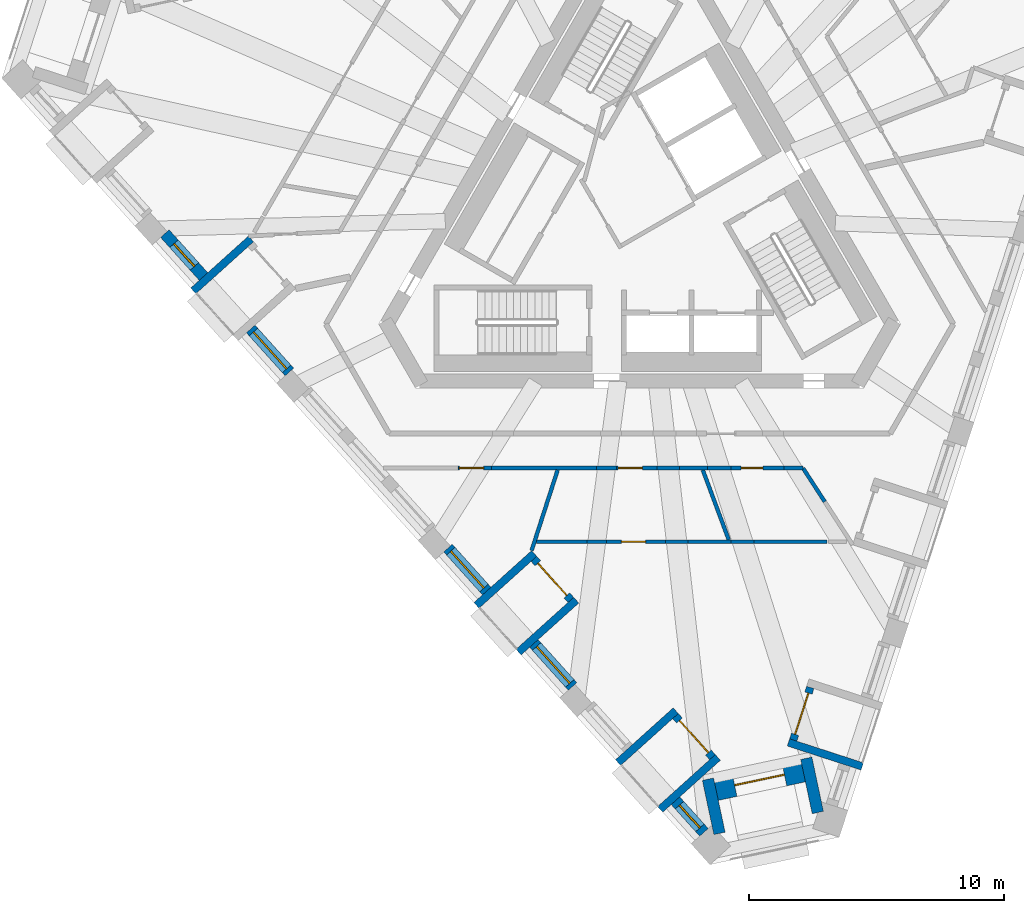
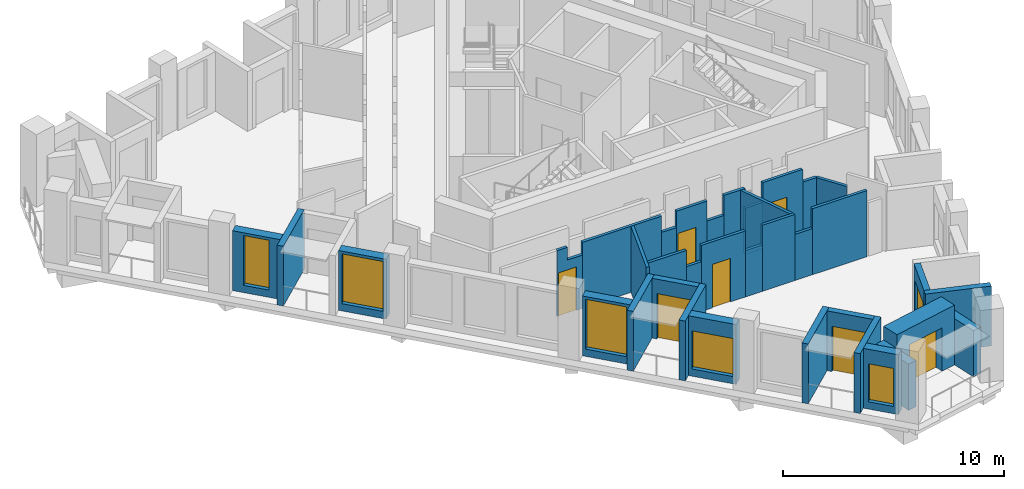
# One storey, part 2 of 12: 36 walls, 8 doors, 5 windows, 13 openings.
"""IFC4 building model written with IfcOpenShell, lengths in metres."""

import ifcopenshell
import ifcopenshell.guid

model = None  # the IFC model being written
_history = None  # IfcOwnerHistory: only IFC2X3 demands one
_inside = {}  # id of a spatial element -> (the spatial element, [elements in it])
_under = {}  # id of a project, library or spatial element -> (it, [spatial elements below it])
_declared = {}  # id of a project -> (the project, [libraries it declares])
_typed = {}  # id of a type object -> (the type object, [elements of that type])
_made_of = {}  # id of a material, layer set ... -> (it, [elements and type objects made of it])


def new_model(schema):
    """Start an empty IFC model of exactly this schema.

    Asked for "IFC4X3", IfcOpenShell would pick the latest addendum, in which some entities
    have other attributes; the version numbers below select the first issue.
    IFC2X3 requires an IfcOwnerHistory on every rooted entity: one is made here for all.
    """
    global model, _history
    if schema == "IFC4X3":
        model = ifcopenshell.file(schema_version=(4, 3, 0, 0))
    else:
        model = ifcopenshell.file(schema=schema)
    _inside.clear()
    _under.clear()
    _declared.clear()
    _typed.clear()
    _made_of.clear()
    _history = None
    if model.schema == "IFC2X3":
        org = make("IfcOrganization", Name="unknown")
        user = make(
            "IfcPersonAndOrganization",
            ThePerson=make("IfcPerson", FamilyName="unknown"),
            TheOrganization=org,
        )
        app = make(
            "IfcApplication",
            ApplicationDeveloper=org,
            Version="unknown",
            ApplicationFullName="unknown",
            ApplicationIdentifier="unknown",
        )
        _history = make(
            "IfcOwnerHistory",
            OwningUser=user,
            OwningApplication=app,
            ChangeAction="ADDED",
            CreationDate=0,
        )
    return model


def make(cls, **values):
    """One entity of the class cls with the attributes given. An attribute that is None is left unset."""
    return model.create_entity(
        cls, **{name: value for name, value in values.items() if value is not None}
    )


def rooted(cls, **values):
    """An entity with a GlobalId (a new one), such as an element, a storey or a relation."""
    return make(cls, GlobalId=ifcopenshell.guid.new(), OwnerHistory=_history, **values)


def si_unit(unit_type, name, prefix=None):
    """IfcSIUnit, for example si_unit("LENGTHUNIT", "METRE", prefix="MILLI")."""
    return make("IfcSIUnit", UnitType=unit_type, Prefix=prefix, Name=name)


def assignment(units):
    """IfcUnitAssignment: the units of a project."""
    return None if units is None else make("IfcUnitAssignment", Units=units)


def point(xyz):
    """IfcCartesianPoint."""
    return None if xyz is None else make("IfcCartesianPoint", Coordinates=xyz)


def direction(xyz):
    """IfcDirection."""
    return None if xyz is None else make("IfcDirection", DirectionRatios=xyz)


def frame(location, z_axis=None, x_axis=None):
    """IfcAxis2Placement3D, a coordinate frame: its origin and axes. An axis left out is left unset."""
    return make(
        "IfcAxis2Placement3D",
        Location=point(location),
        Axis=direction(z_axis),
        RefDirection=direction(x_axis),
    )


def frame_2d(location, x_axis=None):
    """IfcAxis2Placement2D, a coordinate frame in the plane: its origin and x axis."""
    return make(
        "IfcAxis2Placement2D", Location=point(location), RefDirection=direction(x_axis)
    )


def origin():
    """The frame at (0, 0, 0) with its axes left unset."""
    return frame((0.0, 0.0, 0.0))


def place(relative_to, where):
    """IfcLocalPlacement: puts the frame where relative to a parent placement (None: the world)."""
    return make(
        "IfcLocalPlacement", PlacementRelTo=relative_to, RelativePlacement=where
    )


def context(
    kind, dimensions, precision=None, world=None, true_north=None, identifier=None
):
    """IfcGeometricRepresentationContext, for example the 3D "Model" context."""
    return make(
        "IfcGeometricRepresentationContext",
        ContextIdentifier=identifier,
        ContextType=kind,
        CoordinateSpaceDimension=dimensions,
        Precision=precision,
        WorldCoordinateSystem=world,
        TrueNorth=true_north,
    )


def subcontext(parent, identifier, kind, view, scale=None):
    """IfcGeometricRepresentationSubContext, for example "Body" below "Model"."""
    return make(
        "IfcGeometricRepresentationSubContext",
        ContextIdentifier=identifier,
        ContextType=kind,
        ParentContext=parent,
        TargetScale=scale,
        TargetView=view,
    )


def project(units=None, contexts=None):
    """IfcProject with its units and contexts."""
    return rooted(
        "IfcProject",
        Name="project",
        RepresentationContexts=contexts,
        UnitsInContext=assignment(units),
    )


def spatial(cls, under=None, at=None, **own):
    """A site, building, storey or space (cls), placed at a placement, below another one or the project."""
    s = rooted(cls, ObjectPlacement=at, **own)
    if under is not None:
        _under.setdefault(under.id(), (under, []))[1].append(s)
    return s


def polyline(points):
    """IfcPolyline through the points."""
    return make("IfcPolyline", Points=[point(p) for p in points])


def profile(cls, at=None, kind="AREA", **sizes):
    """A parametric profile (cls). Its sizes go by their IFC names, for example OverallWidth=200.0."""
    return make(cls, ProfileType=kind, Position=at, **sizes)


def rectangle(**sizes):
    """IfcRectangleProfileDef."""
    return profile("IfcRectangleProfileDef", **sizes)


def outline(outer, holes=None, kind="AREA"):
    """IfcArbitraryClosedProfileDef: a profile drawn as a closed curve; with holes, ...WithVoids."""
    if holes is None:
        return make("IfcArbitraryClosedProfileDef", ProfileType=kind, OuterCurve=outer)
    return make(
        "IfcArbitraryProfileDefWithVoids",
        ProfileType=kind,
        OuterCurve=outer,
        InnerCurves=holes,
    )


def extrude(swept, where, along, depth):
    """IfcExtrudedAreaSolid: the profile swept, set in the frame where, extruded along a direction by depth."""
    return make(
        "IfcExtrudedAreaSolid",
        SweptArea=swept,
        Position=where,
        ExtrudedDirection=direction(along),
        Depth=depth,
    )


def shape(context_of_items, identifier, shape_type, items):
    """IfcShapeRepresentation: the items that make up one representation, for example the "Body"."""
    return make(
        "IfcShapeRepresentation",
        ContextOfItems=context_of_items,
        RepresentationIdentifier=identifier,
        RepresentationType=shape_type,
        Items=items,
    )


def material(Name=None, Category=None):
    """IfcMaterial."""
    return make("IfcMaterial", Name=Name, Category=Category)


def layer(
    of_material, thickness, ventilated=None, Name=None, Category=None, Priority=None
):
    """IfcMaterialLayer: one layer of a wall or slab, of a material (None: an air gap)."""
    return make(
        "IfcMaterialLayer",
        Material=of_material,
        LayerThickness=thickness,
        IsVentilated=ventilated,
        Name=Name,
        Category=Category,
        Priority=Priority,
    )


def layer_set(layers, Name=None):
    """IfcMaterialLayerSet."""
    return make("IfcMaterialLayerSet", MaterialLayers=layers, LayerSetName=Name)


def made_of(thing, what):
    """Note that an element or type object is made of a material, layer set ...; save() writes the relation."""
    if what is not None:
        _made_of.setdefault(what.id(), (what, []))[1].append(thing)
    return thing


def type_object(cls, material=None, **own):
    """A type object (cls), such as IfcWallType, which elements share."""
    return made_of(rooted(cls, **own), material)


def element(
    cls,
    number,
    at=None,
    inside=None,
    cuts=None,
    type_object=None,
    material=None,
    context=None,
    identifier="Body",
    shape_type=None,
    held_by="IfcProductDefinitionShape",
    body=None,
    shapes=None,
    **own,
):
    """One element of the class cls, such as IfcWall. Its Tag is "e" and its number.

    at: its placement. inside: the storey or other place that contains it. cuts: it is an
    opening in that element (IfcRelVoidsElement). A single representation is given by context,
    identifier, shape_type and body (its items); several are given by shapes. held_by: the class
    of the entity that holds the representations. save() writes the other relations.
    """
    e = rooted(cls, Tag="e%d" % number, ObjectPlacement=at, **own)
    if body is not None:
        shapes = [shape(context, identifier, shape_type, body)]
    if shapes is not None:
        e.Representation = make(held_by, Representations=shapes)
    if inside is not None:
        _inside.setdefault(inside.id(), (inside, []))[1].append(e)
    if cuts is not None:
        rooted(
            "IfcRelVoidsElement", RelatingBuildingElement=cuts, RelatedOpeningElement=e
        )
    if type_object is not None:
        _typed.setdefault(type_object.id(), (type_object, []))[1].append(e)
    return made_of(e, material)


def fill(opening, filler):
    """IfcRelFillsElement: the door or window that sits in an opening."""
    return rooted(
        "IfcRelFillsElement",
        RelatingOpeningElement=opening,
        RelatedBuildingElement=filler,
    )


def aggregate(whole, parts):
    """IfcRelAggregates: a whole, such as a stair, and the parts it consists of."""
    return rooted("IfcRelAggregates", RelatingObject=whole, RelatedObjects=parts)


def save(model, path):
    """Write the relations noted so far, then the file.

    IfcRelAggregates (storeys below a building ...), IfcRelContainedInSpatialStructure (elements
    in a storey), IfcRelDefinesByType, IfcRelAssociatesMaterial and IfcRelDeclares: one each for
    every whole, place, type object, material and project.
    """
    for whole, parts in _under.values():
        aggregate(whole, parts)
    for where, things in _inside.values():
        rooted(
            "IfcRelContainedInSpatialStructure",
            RelatedElements=things,
            RelatingStructure=where,
        )
    for kind, things in _typed.values():
        rooted("IfcRelDefinesByType", RelatedObjects=things, RelatingType=kind)
    for what, things in _made_of.values():
        rooted("IfcRelAssociatesMaterial", RelatedObjects=things, RelatingMaterial=what)
    for by, libraries in _declared.values():
        rooted("IfcRelDeclares", RelatingContext=by, RelatedDefinitions=libraries)
    model.write(path)


model = new_model("IFC4")

# Units and contexts
model_context = context("Model", 3, precision=1e-05, world=origin(), true_north=direction((0.0, 1.0)))
body_context = subcontext(model_context, "Body", "Model", "MODEL_VIEW")
ifc_project = project(units=[si_unit("LENGTHUNIT", "METRE"), si_unit("AREAUNIT", "SQUARE_METRE"), si_unit("VOLUMEUNIT", "CUBIC_METRE"), si_unit("PLANEANGLEUNIT", "RADIAN"), si_unit("MASSUNIT", "GRAM", prefix="KILO")], contexts=[model_context])

# Site, building, storey
site_placement = place(None, origin())
site = spatial("IfcSite", under=ifc_project, at=site_placement, CompositionType="ELEMENT")
building_placement = place(site_placement, origin())
building = spatial("IfcBuilding", under=site, at=building_placement, Name="Tramontana Tower", CompositionType="ELEMENT")
storey_placement = place(building_placement, frame((0.0, 0.0, 344.39990234375)))
storey = spatial("IfcBuildingStorey", under=building, at=storey_placement, Name="L79", CompositionType="ELEMENT", Elevation=344.39990234375)

# Wall, opening, window
ifc_material_1 = material(Name="Precast concrete 60 MPa", Category="concrete")
ifc_layer_1 = layer(ifc_material_1, 0.449951171875)
ifc_layer_set_1 = layer_set([ifc_layer_1], Name="Precast concrete 60 MPa, 450 mm")
wall_type_1 = type_object("IfcWallType", Name="EW1 Stone-faced precast wall 450", PredefinedType="SOLIDWALL", material=ifc_layer_set_1)
wall_1_placement = place(storey_placement, frame((-18.655517578125, -0.689208984375, 0.0), z_axis=(0.0, 0.0, 1.0), x_axis=(0.669107243666, -0.743165860676, 0.0)))
wall_1 = element("IfcWall", 1, at=wall_1_placement, inside=storey, type_object=wall_type_1, Name="External wall L79 face 0 bay 2", PredefinedType="SOLIDWALL", context=body_context, shape_type="SweptSolid", body=[
    extrude(rectangle(XDim=2.271240234375, YDim=0.449951171875, at=frame_2d((1.1357421875, 0.0))), origin(), (0.0, 0.0, 1.0), 3.300048828125),
])
opening_1_placement = place(wall_1_placement, frame((0.53564453125, 0.0, 0.39990234375)))
opening_1 = element("IfcOpeningElement", 2, at=opening_1_placement, cuts=wall_1, Name="Opening N3", PredefinedType="OPENING", context=body_context, shape_type="SweptSolid", body=[
    extrude(rectangle(XDim=1.199951171875, YDim=2.75, at=frame_2d((0.60009765625, 1.375))), frame((0.0, 0.23486328125, 0.0), z_axis=(0.0, -1.0, 0.0), x_axis=(1.0, 0.0, 0.0)), (0.0, 0.0, 1.0), 0.469970703125),
])
ifc_material_2 = material(Name="Aluminum frame, double glazing unit", Category="aluminium")
window_type_1 = type_object("IfcWindowType", Name="N3 Window 1.2 x 2.75", PartitioningType="SINGLE_PANEL", PredefinedType="WINDOW", material=ifc_material_2)
window_1_placement = place(opening_1_placement, origin())
window_1 = element("IfcWindow", 3, at=window_1_placement, inside=storey, type_object=window_type_1, Name="Window N3 L79 face 0 module 4", OverallHeight=2.75, OverallWidth=1.199951171875, PartitioningType="SINGLE_PANEL", PredefinedType="WINDOW", context=body_context, shape_type="SweptSolid", body=[
    extrude(rectangle(XDim=1.199951171875, YDim=2.75, at=frame_2d((0.60009765625, 1.375))), frame((0.0, 0.030029296875, 0.0), z_axis=(0.0, -1.0, 0.0), x_axis=(1.0, 0.0, 0.0)), (0.0, 0.0, 1.0), 0.06005859375),
])
fill(opening_1, window_1)

wall_2_placement = place(storey_placement, frame((-15.281494140625, -4.4365234375, 0.0), z_axis=(0.0, 0.0, 1.0), x_axis=(0.669107243666, -0.743165860676, 0.0)))
wall_2 = element("IfcWall", 4, at=wall_2_placement, inside=storey, type_object=wall_type_1, Name="External wall L79 face 0 bay 2", PredefinedType="SOLIDWALL", context=body_context, shape_type="SweptSolid", body=[
    extrude(rectangle(XDim=2.271240234375, YDim=0.449951171875, at=frame_2d((1.1357421875, 0.0))), origin(), (0.0, 0.0, 1.0), 3.300048828125),
])
opening_2_placement = place(wall_2_placement, frame((0.16064453125, 0.0, 0.39990234375)))
opening_2 = element("IfcOpeningElement", 5, at=opening_2_placement, cuts=wall_2, Name="Opening M3", PredefinedType="OPENING", context=body_context, shape_type="SweptSolid", body=[
    extrude(rectangle(XDim=1.949951171875, YDim=2.75, at=frame_2d((0.97509765625, 1.375))), frame((0.0, 0.23486328125, 0.0), z_axis=(0.0, -1.0, 0.0), x_axis=(1.0, 0.0, 0.0)), (0.0, 0.0, 1.0), 0.469970703125),
])
ifc_material_3 = material(Name="Aluminum frame, double glazing unit", Category="aluminium")
window_type_2 = type_object("IfcWindowType", Name="M3 Window 1.95 x 2.75", PartitioningType="SINGLE_PANEL", PredefinedType="WINDOW", material=ifc_material_3)
window_2_placement = place(opening_2_placement, origin())
window_2 = element("IfcWindow", 6, at=window_2_placement, inside=storey, type_object=window_type_2, Name="Window M3 L79 face 0 module 6", OverallHeight=2.75, OverallWidth=1.949951171875, PartitioningType="SINGLE_PANEL", PredefinedType="WINDOW", context=body_context, shape_type="SweptSolid", body=[
    extrude(rectangle(XDim=1.949951171875, YDim=2.75, at=frame_2d((0.97509765625, 1.375))), frame((0.0, 0.030029296875, 0.0), z_axis=(0.0, -1.0, 0.0), x_axis=(1.0, 0.0, 0.0)), (0.0, 0.0, 1.0), 0.06005859375),
])
fill(opening_2, window_2)

wall_3_placement = place(storey_placement, frame((-7.529541015625, -13.046142578125, 0.0), z_axis=(0.0, 0.0, 1.0), x_axis=(0.669160694992, -0.743117732447, 0.0)))
wall_3 = element("IfcWall", 7, at=wall_3_placement, inside=storey, type_object=wall_type_1, Name="External wall L79 face 0 bay 4", PredefinedType="SOLIDWALL", context=body_context, shape_type="SweptSolid", body=[
    extrude(rectangle(XDim=2.271240234375, YDim=0.449951171875, at=frame_2d((1.1357421875, 0.0))), origin(), (0.0, 0.0, 1.0), 3.300048828125),
])
opening_3_placement = place(wall_3_placement, frame((0.16064453125, 0.0, 0.39990234375)))
opening_3 = element("IfcOpeningElement", 8, at=opening_3_placement, cuts=wall_3, Name="Opening M3", PredefinedType="OPENING", context=body_context, shape_type="SweptSolid", body=[
    extrude(rectangle(XDim=1.949951171875, YDim=2.75, at=frame_2d((0.97509765625, 1.375))), frame((0.0, 0.23486328125, 0.0), z_axis=(0.0, -1.0, 0.0), x_axis=(1.0, 0.0, 0.0)), (0.0, 0.0, 1.0), 0.469970703125),
])
window_3_placement = place(opening_3_placement, origin())
window_3 = element("IfcWindow", 9, at=window_3_placement, inside=storey, type_object=window_type_2, Name="Window M3 L79 face 0 module 10", OverallHeight=2.75, OverallWidth=1.949951171875, PartitioningType="SINGLE_PANEL", PredefinedType="WINDOW", context=body_context, shape_type="SweptSolid", body=[
    extrude(rectangle(XDim=1.949951171875, YDim=2.75, at=frame_2d((0.97509765625, 1.375))), frame((0.0, 0.030029296875, 0.0), z_axis=(0.0, -1.0, 0.0), x_axis=(1.0, 0.0, 0.0)), (0.0, 0.0, 1.0), 0.06005859375),
])
fill(opening_3, window_3)

wall_4_placement = place(storey_placement, frame((-4.1552734375, -16.79345703125, 0.0), z_axis=(0.0, 0.0, 1.0), x_axis=(0.669160694992, -0.743117732447, 0.0)))
wall_4 = element("IfcWall", 10, at=wall_4_placement, inside=storey, type_object=wall_type_1, Name="External wall L79 face 0 bay 4", PredefinedType="SOLIDWALL", context=body_context, shape_type="SweptSolid", body=[
    extrude(rectangle(XDim=2.271240234375, YDim=0.449951171875, at=frame_2d((1.1357421875, 0.0))), origin(), (0.0, 0.0, 1.0), 3.300048828125),
])
opening_4_placement = place(wall_4_placement, frame((0.16064453125, 0.0, 0.39990234375)))
opening_4 = element("IfcOpeningElement", 11, at=opening_4_placement, cuts=wall_4, Name="Opening M3L", PredefinedType="OPENING", context=body_context, shape_type="SweptSolid", body=[
    extrude(rectangle(XDim=1.949951171875, YDim=2.10009765625, at=frame_2d((0.97509765625, 1.050048828125))), frame((0.0, 0.23486328125, 0.0), z_axis=(0.0, -1.0, 0.0), x_axis=(1.0, 0.0, 0.0)), (0.0, 0.0, 1.0), 0.469970703125),
])
ifc_material_4 = material(Name="Aluminum frame, double glazing unit", Category="aluminium")
window_type_3 = type_object("IfcWindowType", Name="M3L Window 1.95 x 2.1", PartitioningType="SINGLE_PANEL", PredefinedType="WINDOW", material=ifc_material_4)
window_4_placement = place(opening_4_placement, origin())
window_4 = element("IfcWindow", 12, at=window_4_placement, inside=storey, type_object=window_type_3, Name="Window M3L L79 face 0 module 12", OverallHeight=2.10009765625, OverallWidth=1.949951171875, PartitioningType="SINGLE_PANEL", PredefinedType="WINDOW", context=body_context, shape_type="SweptSolid", body=[
    extrude(rectangle(XDim=1.949951171875, YDim=2.10009765625, at=frame_2d((0.97509765625, 1.050048828125))), frame((0.0, 0.030029296875, 0.0), z_axis=(0.0, -1.0, 0.0), x_axis=(1.0, 0.0, 0.0)), (0.0, 0.0, 1.0), 0.06005859375),
])
fill(opening_4, window_4)

wall_5_placement = place(storey_placement, frame((1.40771484375, -22.971923828125, 0.0), z_axis=(0.0, 0.0, 1.0), x_axis=(0.669182609054, -0.743097998746, 0.0)))
wall_5 = element("IfcWall", 13, at=wall_5_placement, inside=storey, type_object=wall_type_1, Name="External wall L79 face 0 bay 5", PredefinedType="SOLIDWALL", context=body_context, shape_type="SweptSolid", body=[
    extrude(rectangle(XDim=1.67138671875, YDim=0.449951171875, at=frame_2d((0.835693359375, 0.0))), origin(), (0.0, 0.0, 1.0), 3.300048828125),
])
opening_5_placement = place(wall_5_placement, frame((0.235595703125, 0.0, 0.39990234375)))
opening_5 = element("IfcOpeningElement", 14, at=opening_5_placement, cuts=wall_5, Name="Opening N3L", PredefinedType="OPENING", context=body_context, shape_type="SweptSolid", body=[
    extrude(rectangle(XDim=1.199951171875, YDim=2.10009765625, at=frame_2d((0.60009765625, 1.050048828125))), frame((0.0, 0.23486328125, 0.0), z_axis=(0.0, -1.0, 0.0), x_axis=(1.0, 0.0, 0.0)), (0.0, 0.0, 1.0), 0.469970703125),
])
ifc_material_5 = material(Name="Aluminum frame, double glazing unit", Category="aluminium")
window_type_4 = type_object("IfcWindowType", Name="N3L Window 1.2 x 2.1", PartitioningType="SINGLE_PANEL", PredefinedType="WINDOW", material=ifc_material_5)
window_5_placement = place(opening_5_placement, origin())
window_5 = element("IfcWindow", 15, at=window_5_placement, inside=storey, type_object=window_type_4, Name="Window N3L L79 face 0 module 15", OverallHeight=2.10009765625, OverallWidth=1.199951171875, PartitioningType="SINGLE_PANEL", PredefinedType="WINDOW", context=body_context, shape_type="SweptSolid", body=[
    extrude(rectangle(XDim=1.199951171875, YDim=2.10009765625, at=frame_2d((0.60009765625, 1.050048828125))), frame((0.0, 0.030029296875, 0.0), z_axis=(0.0, -1.0, 0.0), x_axis=(1.0, 0.0, 0.0)), (0.0, 0.0, 1.0), 0.06005859375),
])
fill(opening_5, window_5)

# Walls
for number, where, z_axis, x_axis, name in (
    (16, (7.00048828125, -23.435791015625, 0.0), (0.0, 0.0, 1.0), (-0.207929769172, 0.978143757886, 0.0), "Corner loggia side wall L79 K81l"),
    (17, (3.136962890625, -24.257080078125, 0.0), (0.0, 0.0, 1.0), (-0.207929769172, 0.978143757886, 0.0), "Corner loggia side wall L79 K81r"),
):
    element("IfcWall", number, at=place(storey_placement, frame(where, z_axis=z_axis, x_axis=x_axis)), inside=storey, type_object=wall_type_1, Name=name, PredefinedType="SOLIDWALL", context=body_context, shape_type="SweptSolid", body=[
        extrude(rectangle(XDim=2.17919921875, YDim=0.449951171875, at=frame_2d((1.089599609375, 0.0))), origin(), (0.0, 0.0, 1.0), 2.550048828125),
    ])

# Wall, opening, door
ifc_material_6 = material(Name="Precast concrete 60 MPa", Category="concrete")
ifc_layer_2 = layer(ifc_material_6, 0.89990234375)
ifc_layer_set_2 = layer_set([ifc_layer_2], Name="EW2 Stone-faced corner loggia wall 900")
wall_type_2 = type_object("IfcWallType", Name="EW2 Stone-faced corner loggia wall 900", PredefinedType="SOLIDWALL", material=ifc_layer_set_2)
wall_6_placement = place(storey_placement, frame((6.4208984375, -21.791259765625, 0.0), z_axis=(0.0, 0.0, 1.0), x_axis=(-0.978154241128, -0.207880447765, 0.0)))
wall_6 = element("IfcWall", 18, at=wall_6_placement, inside=storey, type_object=wall_type_2, Name="Corner loggia wall L79 K81", PredefinedType="SOLIDWALL", context=body_context, shape_type="SweptSolid", body=[
    extrude(rectangle(XDim=3.499755859375, YDim=0.89990234375, at=frame_2d((1.75, 0.0))), origin(), (0.0, 0.0, 1.0), 3.300048828125),
])
opening_6_placement = place(wall_6_placement, frame((0.75, 0.0, 0.0)))
opening_6 = element("IfcOpeningElement", 19, at=opening_6_placement, cuts=wall_6, Name="Opening BD-81C", PredefinedType="OPENING", context=body_context, shape_type="SweptSolid", body=[
    extrude(rectangle(XDim=2.0, YDim=2.39990234375, at=frame_2d((1.0, 1.199951171875))), frame((0.0, 0.4599609375, 0.0), z_axis=(0.0, -1.0, 0.0), x_axis=(1.0, 0.0, 0.0)), (0.0, 0.0, 1.0), 0.919921875),
])
ifc_material_7 = material(Name="Aluminum frame, double glazing unit", Category="aluminium")
door_type_1 = type_object("IfcDoorType", Name="BC1 Sliding door 2 x 2.4", OperationType="SLIDING_TO_LEFT", PredefinedType="DOOR", material=ifc_material_7)
door_1_placement = place(opening_6_placement, origin())
door_1 = element("IfcDoor", 20, at=door_1_placement, inside=storey, type_object=door_type_1, Name="Corner loggia door L79 K81", OperationType="SLIDING_TO_LEFT", OverallHeight=2.39990234375, OverallWidth=2.0, PredefinedType="DOOR", context=body_context, shape_type="SweptSolid", body=[
    extrude(rectangle(XDim=2.0, YDim=2.39990234375, at=frame_2d((1.0, 1.199951171875))), frame((0.0, 0.02490234375, 0.0), z_axis=(0.0, -1.0, 0.0), x_axis=(1.0, 0.0, 0.0)), (0.0, 0.0, 1.0), 0.050048828125),
])
fill(opening_6, door_1)

# Wall
ifc_material_8 = material(Name="Precast concrete 60 MPa", Category="concrete")
ifc_layer_3 = layer(ifc_material_8, 0.300048828125)
ifc_layer_set_3 = layer_set([ifc_layer_3], Name="LW1 Stone-faced loggia wall 300")
wall_type_3 = type_object("IfcWallType", Name="LW1 Stone-faced loggia wall 300", PredefinedType="SOLIDWALL", material=ifc_layer_set_3)
wall_7_placement = place(storey_placement, frame((-17.537109375, -2.9404296875, 0.0), z_axis=(0.0, 0.0, 1.0), x_axis=(0.743118999127, 0.669159288314, 0.0)))
element("IfcWall", 21, at=wall_7_placement, inside=storey, type_object=wall_type_3, Name="Loggia return L79 G8S0.4a", PredefinedType="SOLIDWALL", context=body_context, shape_type="SweptSolid", body=[
    extrude(rectangle(XDim=3.050048828125, YDim=0.300048828125, at=frame_2d((1.52490234375, 0.0))), origin(), (0.0, 0.0, 1.0), 3.300048828125),
])

# Wall, opening, door
wall_8_placement = place(storey_placement, frame((-4.155517578125, -13.468017578125, 0.0), z_axis=(0.0, 0.0, 1.0), x_axis=(0.669144868344, -0.743131983681, 0.0)))
wall_8 = element("IfcWall", 22, at=wall_8_placement, inside=storey, type_object=wall_type_3, Name="Loggia wall L79 G8S0.10", PredefinedType="SOLIDWALL", context=body_context, shape_type="SweptSolid", body=[
    extrude(rectangle(XDim=2.171142578125, YDim=0.300048828125, at=frame_2d((1.08544921875, 0.0))), origin(), (0.0, 0.0, 1.0), 3.300048828125),
])
opening_7_placement = place(wall_8_placement, frame((0.235595703125, 0.0, 0.0)))
opening_7 = element("IfcOpeningElement", 23, at=opening_7_placement, cuts=wall_8, Name="Opening BD-8S0-10", PredefinedType="OPENING", context=body_context, shape_type="SweptSolid", body=[
    extrude(rectangle(XDim=1.699951171875, YDim=2.5, at=frame_2d((0.85009765625, 1.25))), frame((0.0, 0.159912109375, 0.0), z_axis=(0.0, -1.0, 0.0), x_axis=(1.0, 0.0, 0.0)), (0.0, 0.0, 1.0), 0.320068359375),
])
ifc_material_9 = material(Name="Aluminum frame, double glazing unit", Category="aluminium")
door_type_2 = type_object("IfcDoorType", Name="BD3 Sliding door 1.7 x 2.5", OperationType="SLIDING_TO_LEFT", PredefinedType="DOOR", material=ifc_material_9)
door_2_placement = place(opening_7_placement, origin())
door_2 = element("IfcDoor", 24, at=door_2_placement, inside=storey, type_object=door_type_2, Name="Loggia door L79 G8S0.10", OperationType="SLIDING_TO_LEFT", OverallHeight=2.5, OverallWidth=1.699951171875, PredefinedType="DOOR", context=body_context, shape_type="SweptSolid", body=[
    extrude(rectangle(XDim=1.699951171875, YDim=2.5, at=frame_2d((0.85009765625, 1.25))), frame((0.0, 0.02490234375, 0.0), z_axis=(0.0, -1.0, 0.0), x_axis=(1.0, 0.0, 0.0)), (0.0, 0.0, 1.0), 0.050048828125),
])
fill(opening_7, door_2)

# Walls
for number, where, z_axis, x_axis, name in (
    (25, (-6.410888671875, -15.297119140625, 0.0), (0.0, 0.0, 1.0), (0.743158802514, 0.669115082961, 0.0), "Loggia return L79 G8S0.10a"),
    (26, (-4.75732421875, -17.133544921875, 0.0), (0.0, 0.0, 1.0), (0.743158802514, 0.669115082961, 0.0), "Loggia return L79 G8S0.10b"),
):
    element("IfcWall", number, at=place(storey_placement, frame(where, z_axis=z_axis, x_axis=x_axis)), inside=storey, type_object=wall_type_3, Name=name, PredefinedType="SOLIDWALL", context=body_context, shape_type="SweptSolid", body=[
        extrude(rectangle(XDim=3.050048828125, YDim=0.300048828125, at=frame_2d((1.52490234375, 0.0))), origin(), (0.0, 0.0, 1.0), 3.300048828125),
    ])

# Wall, opening, door
wall_9_placement = place(storey_placement, frame((1.40771484375, -19.646484375, 0.0), z_axis=(0.0, 0.0, 1.0), x_axis=(0.669144868344, -0.743131983681, 0.0)))
wall_9 = element("IfcWall", 27, at=wall_9_placement, inside=storey, type_object=wall_type_3, Name="Loggia wall L79 G8S0.13", PredefinedType="SOLIDWALL", context=body_context, shape_type="SweptSolid", body=[
    extrude(rectangle(XDim=2.171142578125, YDim=0.300048828125, at=frame_2d((1.08544921875, 0.0))), origin(), (0.0, 0.0, 1.0), 3.300048828125),
])
opening_8_placement = place(wall_9_placement, frame((0.235595703125, 0.0, 0.0)))
opening_8 = element("IfcOpeningElement", 28, at=opening_8_placement, cuts=wall_9, Name="Opening BD-8S0-13", PredefinedType="OPENING", context=body_context, shape_type="SweptSolid", body=[
    extrude(rectangle(XDim=1.699951171875, YDim=2.5, at=frame_2d((0.85009765625, 1.25))), frame((0.0, 0.159912109375, 0.0), z_axis=(0.0, -1.0, 0.0), x_axis=(1.0, 0.0, 0.0)), (0.0, 0.0, 1.0), 0.320068359375),
])
door_3_placement = place(opening_8_placement, origin())
door_3 = element("IfcDoor", 29, at=door_3_placement, inside=storey, type_object=door_type_2, Name="Loggia door L79 G8S0.13", OperationType="SLIDING_TO_LEFT", OverallHeight=2.5, OverallWidth=1.699951171875, PredefinedType="DOOR", context=body_context, shape_type="SweptSolid", body=[
    extrude(rectangle(XDim=1.699951171875, YDim=2.5, at=frame_2d((0.85009765625, 1.25))), frame((0.0, 0.02490234375, 0.0), z_axis=(0.0, -1.0, 0.0), x_axis=(1.0, 0.0, 0.0)), (0.0, 0.0, 1.0), 0.050048828125),
])
fill(opening_8, door_3)

# Walls
for number, where, z_axis, x_axis, name in (
    (30, (-0.847900390625, -21.4755859375, 0.0), (0.0, 0.0, 1.0), (0.743118999127, 0.669159288314, 0.0), "Loggia return L79 G8S0.13a"),
    (31, (0.8056640625, -23.31201171875, 0.0), (0.0, 0.0, 1.0), (0.743158802514, 0.669115082961, 0.0), "Loggia return L79 G8S0.13b"),
):
    element("IfcWall", number, at=place(storey_placement, frame(where, z_axis=z_axis, x_axis=x_axis)), inside=storey, type_object=wall_type_3, Name=name, PredefinedType="SOLIDWALL", context=body_context, shape_type="SweptSolid", body=[
        extrude(rectangle(XDim=3.050048828125, YDim=0.300048828125, at=frame_2d((1.52490234375, 0.0))), origin(), (0.0, 0.0, 1.0), 3.300048828125),
    ])

# Wall, opening, door
wall_10_placement = place(storey_placement, frame((6.0341796875, -20.58544921875, 0.0), z_axis=(0.0, 0.0, 1.0), x_axis=(0.308999623589, 0.95106216023, 0.0)))
wall_10 = element("IfcWall", 32, at=wall_10_placement, inside=storey, type_object=wall_type_3, Name="Loggia wall L79 G8S1.1", PredefinedType="SOLIDWALL", context=body_context, shape_type="SweptSolid", body=[
    extrude(rectangle(XDim=2.171142578125, YDim=0.300048828125, at=frame_2d((1.08544921875, 0.0))), origin(), (0.0, 0.0, 1.0), 3.300048828125),
])
opening_9_placement = place(wall_10_placement, frame((0.235595703125, 0.0, 0.0)))
opening_9 = element("IfcOpeningElement", 33, at=opening_9_placement, cuts=wall_10, Name="Opening BD-8S1-01", PredefinedType="OPENING", context=body_context, shape_type="SweptSolid", body=[
    extrude(rectangle(XDim=1.699951171875, YDim=2.5, at=frame_2d((0.85009765625, 1.25))), frame((0.0, 0.159912109375, 0.0), z_axis=(0.0, -1.0, 0.0), x_axis=(1.0, 0.0, 0.0)), (0.0, 0.0, 1.0), 0.320068359375),
])
door_4_placement = place(opening_9_placement, origin())
door_4 = element("IfcDoor", 34, at=door_4_placement, inside=storey, type_object=door_type_2, Name="Loggia door L79 G8S1.1", OperationType="SLIDING_TO_LEFT", OverallHeight=2.5, OverallWidth=1.699951171875, PredefinedType="DOOR", context=body_context, shape_type="SweptSolid", body=[
    extrude(rectangle(XDim=1.699951171875, YDim=2.5, at=frame_2d((0.85009765625, 1.25))), frame((0.0, 0.02490234375, 0.0), z_axis=(0.0, -1.0, 0.0), x_axis=(1.0, 0.0, 0.0)), (0.0, 0.0, 1.0), 0.050048828125),
])
fill(opening_9, door_4)

# Walls
wall_11_placement = place(storey_placement, frame((8.745849609375, -21.624267578125, 0.0), z_axis=(0.0, 0.0, 1.0), x_axis=(-0.951072883748, 0.308966615996, 0.0)))
element("IfcWall", 35, at=wall_11_placement, inside=storey, type_object=wall_type_3, Name="Loggia return L79 G8S1.1a", PredefinedType="SOLIDWALL", context=body_context, shape_type="SweptSolid", body=[
    extrude(rectangle(XDim=3.050048828125, YDim=0.300048828125, at=frame_2d((1.52490234375, 0.0))), origin(), (0.0, 0.0, 1.0), 3.300048828125),
])
ifc_material_10 = material(Name="Gypsum board partition")
ifc_layer_4 = layer(ifc_material_10, 0.14990234375)
ifc_layer_set_4 = layer_set([ifc_layer_4], Name="PARTITION 150")
wall_type_4 = type_object("IfcWallType", Name="PARTITION 150", PredefinedType="PARTITIONING", material=ifc_layer_set_4)
wall_12_placement = place(storey_placement, frame((-4.24462890625, -13.144775390625, 0.0), z_axis=(0.0, 0.0, 1.0), x_axis=(0.307264042602, 0.951624299881, 0.0)))
element("IfcWall", 36, at=wall_12_placement, inside=storey, type_object=wall_type_4, Name="Wall v82-pw07", PredefinedType="PARTITIONING", context=body_context, shape_type="SweptSolid", body=[
    extrude(rectangle(XDim=3.330810546875, YDim=0.14990234375, at=frame_2d((1.66552734375, 0.0))), origin(), (0.0, 0.0, 1.0), 3.650146484375),
])
wall_13_placement = place(storey_placement, frame((2.481201171875, -9.9755859375, 0.0), z_axis=(0.0, 0.0, 1.0), x_axis=(0.348431034579, -0.937334419587, 0.0)))
element("IfcWall", 37, at=wall_13_placement, inside=storey, type_object=wall_type_4, Name="Wall v82-pw10", PredefinedType="PARTITIONING", context=body_context, shape_type="SweptSolid", body=[
    extrude(rectangle(XDim=2.93310546875, YDim=0.14990234375, at=frame_2d((1.466552734375, 0.0))), origin(), (0.0, 0.0, 1.0), 3.650146484375),
])
wall_14_placement = place(storey_placement, frame((6.413330078125, -9.89990234375, 0.0), z_axis=(0.0, 0.0, 1.0), x_axis=(-1.0, 0.0, 0.0)))
element("IfcWall", 38, at=wall_14_placement, inside=storey, type_object=wall_type_4, Name="Wall v82-pw14-0", PredefinedType="PARTITIONING", context=body_context, shape_type="SweptSolid", body=[
    extrude(rectangle(XDim=0.7431640625, YDim=0.14990234375, at=frame_2d((0.37158203125, 0.0))), origin(), (0.0, 0.0, 1.0), 2.9501953125),
])

# Wall, opening, door
wall_15_placement = place(storey_placement, frame((5.670166015625, -9.89990234375, 0.0), z_axis=(0.0, 0.0, 1.0), x_axis=(-1.0, 0.0, 0.0)))
wall_15 = element("IfcWall", 39, at=wall_15_placement, inside=storey, type_object=wall_type_4, Name="Wall v82-pw14-1", PredefinedType="PARTITIONING", context=body_context, shape_type="SweptSolid", body=[
    extrude(rectangle(XDim=2.083984375, YDim=0.14990234375, at=frame_2d((1.0419921875, 0.0))), origin(), (0.0, 0.0, 1.0), 3.650146484375),
])
opening_10_placement = place(wall_15_placement, frame((0.831787109375, 0.0, 0.0)))
opening_10 = element("IfcOpeningElement", 40, at=opening_10_placement, cuts=wall_15, Name="Opening B8C-05", PredefinedType="OPENING", context=body_context, shape_type="SweptSolid", body=[
    extrude(rectangle(XDim=0.85009765625, YDim=2.39990234375, at=frame_2d((0.425048828125, 1.199951171875))), frame((0.0, 0.0849609375, 0.0), z_axis=(0.0, -1.0, 0.0), x_axis=(1.0, 0.0, 0.0)), (0.0, 0.0, 1.0), 0.169921875),
])
ifc_material_11 = material(Name="Painted timber", Category="wood")
door_type_3 = type_object("IfcDoorType", Name="DOOR BATH 850", OperationType="SINGLE_SWING_LEFT", PredefinedType="DOOR", material=ifc_material_11)
door_5_placement = place(opening_10_placement, origin())
door_5 = element("IfcDoor", 41, at=door_5_placement, inside=storey, type_object=door_type_3, Name="Door B8C-05", OperationType="SINGLE_SWING_LEFT", OverallHeight=2.39990234375, OverallWidth=0.85009765625, PredefinedType="DOOR", context=body_context, shape_type="SweptSolid", body=[
    extrude(rectangle(XDim=0.85009765625, YDim=2.39990234375, at=frame_2d((0.425048828125, 1.199951171875))), frame((0.0, 0.02490234375, 0.0), z_axis=(0.0, -1.0, 0.0), x_axis=(1.0, 0.0, 0.0)), (0.0, 0.0, 1.0), 0.050048828125),
])
fill(opening_10, door_5)

# Walls
wall_16_placement = place(storey_placement, frame((3.586181640625, -9.89990234375, 0.0), z_axis=(0.0, 0.0, 1.0), x_axis=(-1.0, 0.0, 0.0)))
element("IfcWall", 42, at=wall_16_placement, inside=storey, type_object=wall_type_4, Name="Wall v82-pw14-2", PredefinedType="PARTITIONING", context=body_context, shape_type="SweptSolid", body=[
    extrude(rectangle(XDim=0.91748046875, YDim=0.14990234375, at=frame_2d((0.458740234375, 0.0))), origin(), (0.0, 0.0, 1.0), 2.550048828125),
])
wall_17_placement = place(storey_placement, frame((2.668701171875, -9.89990234375, 0.0), z_axis=(0.0, 0.0, 1.0), x_axis=(-1.0, 0.0, 0.0)))
element("IfcWall", 43, at=wall_17_placement, inside=storey, type_object=wall_type_4, Name="Wall v82-pw14-3", PredefinedType="PARTITIONING", context=body_context, shape_type="SweptSolid", body=[
    extrude(rectangle(XDim=1.10595703125, YDim=0.14990234375, at=frame_2d((0.552978515625, 0.0))), origin(), (0.0, 0.0, 1.0), 3.650146484375),
])
wall_18_placement = place(storey_placement, frame((1.562744140625, -9.89990234375, 0.0), z_axis=(0.0, 0.0, 1.0), x_axis=(-1.0, 0.0, 0.0)))
element("IfcWall", 44, at=wall_18_placement, inside=storey, type_object=wall_type_4, Name="Wall v82-pw14-4", PredefinedType="PARTITIONING", context=body_context, shape_type="SweptSolid", body=[
    extrude(rectangle(XDim=0.880615234375, YDim=0.14990234375, at=frame_2d((0.4404296875, 0.0))), origin(), (0.0, 0.0, 1.0), 2.550048828125),
])

# Wall, opening, door
wall_19_placement = place(storey_placement, frame((0.68212890625, -9.89990234375, 0.0), z_axis=(0.0, 0.0, 1.0), x_axis=(-1.0, 0.0, 0.0)))
wall_19 = element("IfcWall", 45, at=wall_19_placement, inside=storey, type_object=wall_type_4, Name="Wall v82-pw14-5", PredefinedType="PARTITIONING", context=body_context, shape_type="SweptSolid", body=[
    extrude(rectangle(XDim=1.59423828125, YDim=0.14990234375, at=frame_2d((0.797119140625, 0.0))), origin(), (0.0, 0.0, 1.0), 3.650146484375),
])
opening_11_placement = place(wall_19_placement, frame((0.5791015625, 0.0, 0.0)))
opening_11 = element("IfcOpeningElement", 46, at=opening_11_placement, cuts=wall_19, Name="Opening B8C-04", PredefinedType="OPENING", context=body_context, shape_type="SweptSolid", body=[
    extrude(rectangle(XDim=0.949951171875, YDim=2.39990234375, at=frame_2d((0.47509765625, 1.199951171875))), frame((0.0, 0.0849609375, 0.0), z_axis=(0.0, -1.0, 0.0), x_axis=(1.0, 0.0, 0.0)), (0.0, 0.0, 1.0), 0.169921875),
])
ifc_material_12 = material(Name="Painted timber", Category="wood")
door_type_4 = type_object("IfcDoorType", Name="DOOR ROOM 950", OperationType="SINGLE_SWING_LEFT", PredefinedType="DOOR", material=ifc_material_12)
door_6_placement = place(opening_11_placement, origin())
door_6 = element("IfcDoor", 47, at=door_6_placement, inside=storey, type_object=door_type_4, Name="Door B8C-04", OperationType="SINGLE_SWING_RIGHT", OverallHeight=2.39990234375, OverallWidth=0.949951171875, PredefinedType="DOOR", context=body_context, shape_type="SweptSolid", body=[
    extrude(rectangle(XDim=0.949951171875, YDim=2.39990234375, at=frame_2d((0.47509765625, 1.199951171875))), frame((0.0, 0.02490234375, 0.0), z_axis=(0.0, -1.0, 0.0), x_axis=(1.0, 0.0, 0.0)), (0.0, 0.0, 1.0), 0.050048828125),
])
fill(opening_11, door_6)

# Walls
wall_20_placement = place(storey_placement, frame((-0.912109375, -9.89990234375, 0.0), z_axis=(0.0, 0.0, 1.0), x_axis=(-1.0, 0.0, 0.0)))
element("IfcWall", 48, at=wall_20_placement, inside=storey, type_object=wall_type_4, Name="Wall v82-pw14-6", PredefinedType="PARTITIONING", context=body_context, shape_type="SweptSolid", body=[
    extrude(rectangle(XDim=0.78173828125, YDim=0.14990234375, at=frame_2d((0.390869140625, 0.0))), origin(), (0.0, 0.0, 1.0), 2.75),
])
wall_21_placement = place(storey_placement, frame((-1.69384765625, -9.89990234375, 0.0), z_axis=(0.0, 0.0, 1.0), x_axis=(-1.0, 0.0, 0.0)))
element("IfcWall", 49, at=wall_21_placement, inside=storey, type_object=wall_type_4, Name="Wall v82-pw14-7", PredefinedType="PARTITIONING", context=body_context, shape_type="SweptSolid", body=[
    extrude(rectangle(XDim=4.11962890625, YDim=0.14990234375, at=frame_2d((2.059814453125, 0.0))), origin(), (0.0, 0.0, 1.0), 3.650146484375),
])

# Wall, opening, door
wall_22_placement = place(storey_placement, frame((-5.8134765625, -9.89990234375, 0.0), z_axis=(0.0, 0.0, 1.0), x_axis=(-1.0, 0.0, 0.0)))
wall_22 = element("IfcWall", 50, at=wall_22_placement, inside=storey, type_object=wall_type_4, Name="Wall v82-pw14-8", PredefinedType="PARTITIONING", context=body_context, shape_type="SweptSolid", body=[
    extrude(outline(polyline([(0.0, 0.0), (1.318115234375, 0.0), (1.318115234375, 3.650146484375), (0.796875, 3.650146484375), (0.796875, 2.9501953125), (0.0, 2.9501953125), (0.0, 0.0)])), frame((0.0, 0.074951171875, 0.0), z_axis=(0.0, -1.0, 0.0), x_axis=(1.0, 0.0, 0.0)), (0.0, 0.0, 1.0), 0.14990234375),
])
opening_12_placement = place(wall_22_placement, frame((0.318115234375, 0.0, 0.0)))
opening_12 = element("IfcOpeningElement", 51, at=opening_12_placement, cuts=wall_22, Name="Opening B8C-06", PredefinedType="OPENING", context=body_context, shape_type="SweptSolid", body=[
    extrude(rectangle(XDim=0.949951171875, YDim=2.39990234375, at=frame_2d((0.47509765625, 1.199951171875))), frame((0.0, 0.0849609375, 0.0), z_axis=(0.0, -1.0, 0.0), x_axis=(1.0, 0.0, 0.0)), (0.0, 0.0, 1.0), 0.169921875),
])
door_7_placement = place(opening_12_placement, origin())
door_7 = element("IfcDoor", 52, at=door_7_placement, inside=storey, type_object=door_type_4, Name="Door B8C-06", OperationType="SINGLE_SWING_RIGHT", OverallHeight=2.39990234375, OverallWidth=0.949951171875, PredefinedType="DOOR", context=body_context, shape_type="SweptSolid", body=[
    extrude(rectangle(XDim=0.949951171875, YDim=2.39990234375, at=frame_2d((0.47509765625, 1.199951171875))), frame((0.0, 0.02490234375, 0.0), z_axis=(0.0, -1.0, 0.0), x_axis=(1.0, 0.0, 0.0)), (0.0, 0.0, 1.0), 0.050048828125),
])
fill(opening_12, door_7)

# Walls
wall_23_placement = place(storey_placement, frame((7.35595703125, -12.800048828125, 0.0), z_axis=(0.0, 0.0, 1.0), x_axis=(-1.0, 0.0, 0.0)))
element("IfcWall", 53, at=wall_23_placement, inside=storey, type_object=wall_type_4, Name="Wall v82-pw18-0", PredefinedType="PARTITIONING", context=body_context, shape_type="SweptSolid", body=[
    extrude(rectangle(XDim=2.853515625, YDim=0.14990234375, at=frame_2d((1.4267578125, 0.0))), origin(), (0.0, 0.0, 1.0), 3.650146484375),
])
wall_24_placement = place(storey_placement, frame((4.50244140625, -12.800048828125, 0.0), z_axis=(0.0, 0.0, 1.0), x_axis=(-1.0, 0.0, 0.0)))
element("IfcWall", 54, at=wall_24_placement, inside=storey, type_object=wall_type_4, Name="Wall v82-pw18-1", PredefinedType="PARTITIONING", context=body_context, shape_type="SweptSolid", body=[
    extrude(rectangle(XDim=0.917724609375, YDim=0.14990234375, at=frame_2d((0.458984375, 0.0))), origin(), (0.0, 0.0, 1.0), 2.550048828125),
])
wall_25_placement = place(storey_placement, frame((3.584716796875, -12.800048828125, 0.0), z_axis=(0.0, 0.0, 1.0), x_axis=(-1.0, 0.0, 0.0)))
element("IfcWall", 55, at=wall_25_placement, inside=storey, type_object=wall_type_4, Name="Wall v82-pw18-2", PredefinedType="PARTITIONING", context=body_context, shape_type="SweptSolid", body=[
    extrude(rectangle(XDim=1.693115234375, YDim=0.14990234375, at=frame_2d((0.8466796875, 0.0))), origin(), (0.0, 0.0, 1.0), 3.650146484375),
])
wall_26_placement = place(storey_placement, frame((1.8916015625, -12.800048828125, 0.0), z_axis=(0.0, 0.0, 1.0), x_axis=(-1.0, 0.0, 0.0)))
element("IfcWall", 56, at=wall_26_placement, inside=storey, type_object=wall_type_4, Name="Wall v82-pw18-3", PredefinedType="PARTITIONING", context=body_context, shape_type="SweptSolid", body=[
    extrude(rectangle(XDim=0.880615234375, YDim=0.14990234375, at=frame_2d((0.4404296875, 0.0))), origin(), (0.0, 0.0, 1.0), 2.550048828125),
])

# Wall, opening, door
wall_27_placement = place(storey_placement, frame((1.010986328125, -12.800048828125, 0.0), z_axis=(0.0, 0.0, 1.0), x_axis=(-1.0, 0.0, 0.0)))
wall_27 = element("IfcWall", 57, at=wall_27_placement, inside=storey, type_object=wall_type_4, Name="Wall v82-pw18-4", PredefinedType="PARTITIONING", context=body_context, shape_type="SweptSolid", body=[
    extrude(rectangle(XDim=2.3046875, YDim=0.14990234375, at=frame_2d((1.15234375, 0.0))), origin(), (0.0, 0.0, 1.0), 3.650146484375),
])
opening_13_placement = place(wall_27_placement, frame((0.777587890625, 0.0, 0.0)))
opening_13 = element("IfcOpeningElement", 58, at=opening_13_placement, cuts=wall_27, Name="Opening B8C-13", PredefinedType="OPENING", context=body_context, shape_type="SweptSolid", body=[
    extrude(rectangle(XDim=0.949951171875, YDim=2.39990234375, at=frame_2d((0.47509765625, 1.199951171875))), frame((0.0, 0.0849609375, 0.0), z_axis=(0.0, -1.0, 0.0), x_axis=(1.0, 0.0, 0.0)), (0.0, 0.0, 1.0), 0.169921875),
])
door_8_placement = place(opening_13_placement, origin())
door_8 = element("IfcDoor", 59, at=door_8_placement, inside=storey, type_object=door_type_4, Name="Door B8C-13", OperationType="SINGLE_SWING_LEFT", OverallHeight=2.39990234375, OverallWidth=0.949951171875, PredefinedType="DOOR", context=body_context, shape_type="SweptSolid", body=[
    extrude(rectangle(XDim=0.949951171875, YDim=2.39990234375, at=frame_2d((0.47509765625, 1.199951171875))), frame((0.0, 0.02490234375, 0.0), z_axis=(0.0, -1.0, 0.0), x_axis=(1.0, 0.0, 0.0)), (0.0, 0.0, 1.0), 0.050048828125),
])
fill(opening_13, door_8)

# Walls
wall_28_placement = place(storey_placement, frame((-1.293701171875, -12.800048828125, 0.0), z_axis=(0.0, 0.0, 1.0), x_axis=(-1.0, 0.0, 0.0)))
element("IfcWall", 60, at=wall_28_placement, inside=storey, type_object=wall_type_4, Name="Wall v82-pw18-5", PredefinedType="PARTITIONING", context=body_context, shape_type="SweptSolid", body=[
    extrude(rectangle(XDim=0.78173828125, YDim=0.14990234375, at=frame_2d((0.390869140625, 0.0))), origin(), (0.0, 0.0, 1.0), 2.75),
])
wall_29_placement = place(storey_placement, frame((-2.075439453125, -12.800048828125, 0.0), z_axis=(0.0, 0.0, 1.0), x_axis=(-1.0, 0.0, 0.0)))
element("IfcWall", 61, at=wall_29_placement, inside=storey, type_object=wall_type_4, Name="Wall v82-pw18-6", PredefinedType="PARTITIONING", context=body_context, shape_type="SweptSolid", body=[
    extrude(rectangle(XDim=1.97900390625, YDim=0.14990234375, at=frame_2d((0.989501953125, 0.0))), origin(), (0.0, 0.0, 1.0), 3.650146484375),
])
wall_30_placement = place(storey_placement, frame((7.273193359375, -11.22412109375, 0.0), z_axis=(0.0, 0.0, 1.0), x_axis=(-0.543598289007, 0.839345518954, 0.0)))
element("IfcWall", 62, at=wall_30_placement, inside=storey, type_object=wall_type_4, Name="Wall v82-pw21-1", PredefinedType="PARTITIONING", context=body_context, shape_type="SweptSolid", body=[
    extrude(rectangle(XDim=1.574951171875, YDim=0.14990234375, at=frame_2d((0.78759765625, 0.0))), origin(), (0.0, 0.0, 1.0), 2.9501953125),
])

save(model, "model.ifc")
